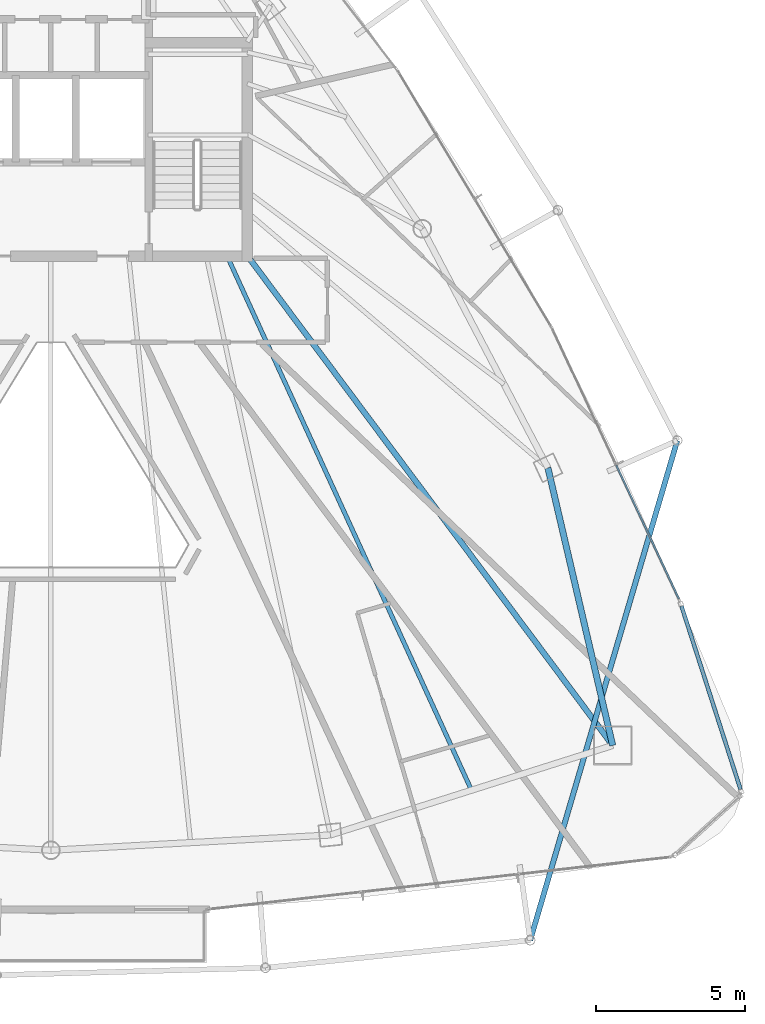
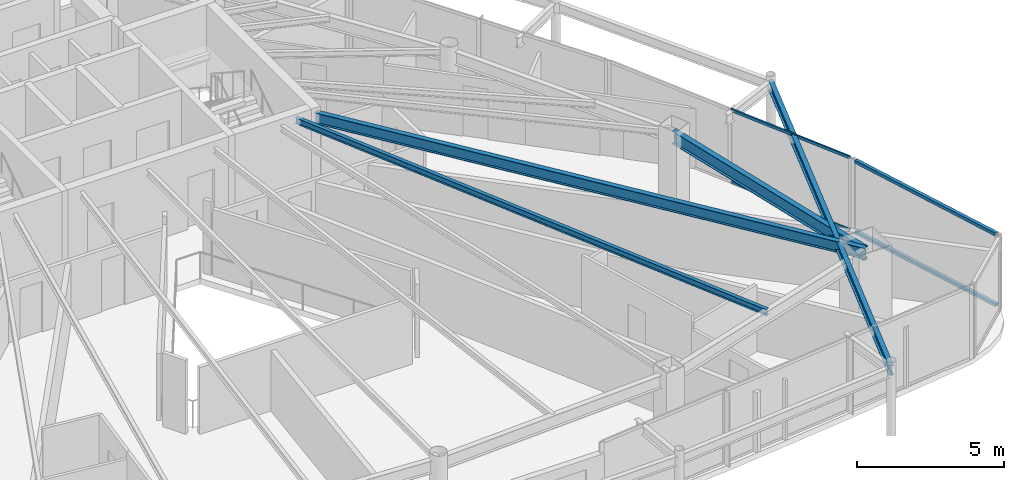
# One storey, part 16 of 32: 4 beams, 4 members, 2 elements without a shape of their own.
"""IFC4 building model written with IfcOpenShell, lengths in metres."""

from ifc_helpers import new_model, si_unit, direction, frame, origin, origin_2d, place, context, subcontext, project, spatial, hollow_rectangle, i_section, extrude, material, layer, layer_set, material_profile, profile_set, type_object, element, aggregate, save


model = new_model("IFC4")

# Units and contexts
model_context = context("Model", 3, precision=1e-05, world=origin(), true_north=direction((0.0, 1.0)))
body_context = subcontext(model_context, "Body", "Model", "MODEL_VIEW")
ifc_project = project(units=[si_unit("LENGTHUNIT", "METRE"), si_unit("AREAUNIT", "SQUARE_METRE"), si_unit("VOLUMEUNIT", "CUBIC_METRE"), si_unit("PLANEANGLEUNIT", "RADIAN"), si_unit("MASSUNIT", "GRAM", prefix="KILO")], contexts=[model_context])

# Site, building, storey
site_placement = place(None, origin())
site = spatial("IfcSite", under=ifc_project, at=site_placement, CompositionType="ELEMENT")
building_placement = place(site_placement, origin())
building = spatial("IfcBuilding", under=site, at=building_placement, Name="Orvanel Arch Residences", CompositionType="ELEMENT")
storey_placement = place(building_placement, frame((0.0, 0.0, 216.199951171875)))
storey = spatial("IfcBuildingStorey", under=building, at=storey_placement, Name="L61", CompositionType="ELEMENT", Elevation=216.199951171875)

# Beams
ifc_material_1 = material(Name="Structural steel AS/NZS 3679.1 Grade 300 (300 MPa)", Category="steel")
ifc_material_profile_1 = material_profile(ifc_material_1, i_section(OverallWidth=0.19091796875, OverallDepth=0.4599609375, WebThickness=0.010009765625, FlangeThickness=0.01611328125, at=origin_2d()), Name="460UB82.1")
ifc_profile_set_1 = profile_set([ifc_material_profile_1], Name="Structural steel AS/NZS 3679.1 Grade 300 (300 MPa)")
beam_type_1 = type_object("IfcBeamType", Name="BG-460UB", PredefinedType="BEAM", material=ifc_profile_set_1)
beam_1_placement = place(storey_placement, frame((39.625, 26.675048828125, 2.830078125), z_axis=(0.597893733742, -0.801575375839, 0.0), x_axis=(0.801575375839, 0.597893733742, 0.0)))
element("IfcBeam", 1, at=beam_1_placement, inside=storey, type_object=beam_type_1, Name="L61 South-East Radial Girder", PredefinedType="BEAM", context=body_context, shape_type="SweptSolid", body=[
    extrude(i_section(OverallWidth=0.19091796875, OverallDepth=0.4599609375, WebThickness=0.010009765625, FlangeThickness=0.01611328125, at=origin_2d()), origin(), (0.0, 0.0, 1.0), 20.36474609375),
])
ifc_material_profile_2 = material_profile(ifc_material_1, i_section(OverallWidth=0.14599609375, OverallDepth=0.251953125, WebThickness=0.006103515625, FlangeThickness=0.008544921875, at=origin_2d()), Name="250UB31.4")
ifc_profile_set_2 = profile_set([ifc_material_profile_2], Name="Structural steel AS/NZS 3679.1 Grade 300 (300 MPa)")
beam_type_2 = type_object("IfcBeamType", Name="BJ-250UB", PredefinedType="JOIST", material=ifc_profile_set_2)
beam_2_placement = place(storey_placement, frame((38.89990234375, 26.72509765625, 2.93408203125), z_axis=(0.416009574066, -0.909360233508, 0.0), x_axis=(0.909360233508, 0.416009574066, 0.0)))
element("IfcBeam", 2, at=beam_2_placement, inside=storey, type_object=beam_type_2, Name="L61 JADD2 Wing Floor Joist", PredefinedType="JOIST", context=body_context, shape_type="SweptSolid", body=[
    extrude(i_section(OverallWidth=0.14599609375, OverallDepth=0.251953125, WebThickness=0.006103515625, FlangeThickness=0.008544921875, at=origin_2d()), origin(), (0.0, 0.0, 1.0), 19.653564453125),
])
ifc_material_profile_3 = material_profile(ifc_material_1, i_section(OverallWidth=0.177978515625, OverallDepth=0.406005859375, WebThickness=0.0078125, FlangeThickness=0.0126953125, at=origin_2d()), Name="410UB59.7")
ifc_profile_set_3 = profile_set([ifc_material_profile_3], Name="Structural steel AS/NZS 3679.1 Grade 300 (300 MPa)")
beam_type_3 = type_object("IfcBeamType", Name="OB-410UB-EXT", PredefinedType="SPANDREL", material=ifc_profile_set_3)
beam_3_placement = place(storey_placement, frame((49.0400390625, 3.83203125, 2.85693359375), z_axis=(0.282380884619, 0.959302369434, 0.0), x_axis=(-0.959302369434, 0.282380884619, 0.0)))
element("IfcBeam", 3, at=beam_3_placement, inside=storey, type_object=beam_type_3, Name="L61 Outer Perimeter Floor Ring Beam 08", PredefinedType="SPANDREL", context=body_context, shape_type="SweptSolid", body=[
    extrude(i_section(OverallWidth=0.177978515625, OverallDepth=0.406005859375, WebThickness=0.0078125, FlangeThickness=0.0126953125, at=origin_2d()), origin(), (0.0, 0.0, 1.0), 17.433349609375),
])
ifc_material_profile_4 = material_profile(ifc_material_1, i_section(OverallWidth=0.208984375, OverallDepth=0.532958984375, WebThickness=0.01025390625, FlangeThickness=0.015625, at=origin_2d()), Name="530UB92.4")
ifc_profile_set_4 = profile_set([ifc_material_profile_4], Name="Structural steel AS/NZS 3679.1 Grade 300 (300 MPa)")
beam_type_4 = type_object("IfcBeamType", Name="SP-530UB", PredefinedType="SPANDREL", material=ifc_profile_set_4)
beam_4_placement = place(storey_placement, frame((51.801025390625, 10.35107421875, 2.79296875), z_axis=(-0.227236087167, 0.973839699688, 0.0), x_axis=(-0.973839699688, -0.227236087167, 0.0)))
element("IfcBeam", 4, at=beam_4_placement, inside=storey, type_object=beam_type_4, Name="L61 Perimeter Spandrel Beam 06", PredefinedType="SPANDREL", context=body_context, shape_type="SweptSolid", body=[
    extrude(i_section(OverallWidth=0.208984375, OverallDepth=0.532958984375, WebThickness=0.01025390625, FlangeThickness=0.015625, at=origin_2d()), origin(), (0.0, 0.0, 1.0), 9.54052734375),
])

# Curtain wall, members
ifc_material_2 = material(Name="Bronze-anodised aluminium AA6063-T6", Category="aluminium")
ifc_layer_1 = layer(ifc_material_2, 0.175048828125)
ifc_layer_set_1 = layer_set([ifc_layer_1], Name="Bronze-anodised aluminium AA6063-T6")
curtain_wall_type_1 = type_object("IfcCurtainWallType", Name="CW4-HI-SYS", PredefinedType="NOTDEFINED", material=ifc_layer_set_1)
curtain_wall_1_placement = place(storey_placement, origin())
curtain_wall_1 = element("IfcCurtainWall", 5, at=curtain_wall_1_placement, inside=storey, type_object=curtain_wall_type_1, Name="L61 CW4-HI-SYS Unitised Curtain Wall", PredefinedType="NOTDEFINED")
ifc_material_profile_5 = material_profile(ifc_material_2, hollow_rectangle(XDim=0.06005859375, YDim=0.1201171875, WallThickness=0.00341796875, at=origin_2d()), Name="ALU120x60x3.5")
ifc_profile_set_5 = profile_set([ifc_material_profile_5], Name="Bronze-anodised aluminium AA6063-T6")
member_type_1 = type_object("IfcMemberType", Name="TRN-120x60", PredefinedType="USERDEFINED", material=ifc_profile_set_5)
member_1_placement = place(storey_placement, frame((54.016357421875, 15.2548828125, 0.030029296875), z_axis=(-0.424084210865, 0.905622759263, 0.0), x_axis=(-0.905622759263, -0.424084210865, 0.0)))
member_1 = element("IfcMember", 6, at=member_1_placement, type_object=member_type_1, Name="CW-S4 transom 1.1", ObjectType="TRANSOM", PredefinedType="USERDEFINED", context=body_context, shape_type="SweptSolid", body=[
    extrude(hollow_rectangle(XDim=0.06005859375, YDim=0.1201171875, WallThickness=0.00341796875, at=origin_2d()), origin(), (0.0, 0.0, 1.0), 4.937744140625),
])
member_2_placement = place(storey_placement, frame((54.016357421875, 15.2548828125, 3.030029296875), z_axis=(-0.424084210865, 0.905622759263, 0.0), x_axis=(-0.905622759263, -0.424084210865, 0.0)))
member_2 = element("IfcMember", 7, at=member_2_placement, type_object=member_type_1, Name="CW-S4 transom 1.2", ObjectType="TRANSOM", PredefinedType="USERDEFINED", context=body_context, shape_type="SweptSolid", body=[
    extrude(hollow_rectangle(XDim=0.06005859375, YDim=0.1201171875, WallThickness=0.00341796875, at=origin_2d()), origin(), (0.0, 0.0, 1.0), 4.937744140625),
])
aggregate(curtain_wall_1, [member_1, member_2])

ifc_layer_2 = layer(ifc_material_2, 0.18994140625)
ifc_layer_set_2 = layer_set([ifc_layer_2], Name="Bronze-anodised aluminium AA6063-T6")
curtain_wall_type_2 = type_object("IfcCurtainWallType", Name="CW5-CRN-SYS", PredefinedType="NOTDEFINED", material=ifc_layer_set_2)
curtain_wall_2_placement = place(storey_placement, origin())
curtain_wall_2 = element("IfcCurtainWall", 8, at=curtain_wall_2_placement, inside=storey, type_object=curtain_wall_type_2, Name="L61 CW5-CRN-SYS Unitised Curtain Wall", PredefinedType="NOTDEFINED")
ifc_material_profile_6 = material_profile(ifc_material_2, hollow_rectangle(XDim=0.1298828125, YDim=0.1298828125, WallThickness=0.00439453125, at=origin_2d()), Name="ALU130x130x4.5")
ifc_profile_set_6 = profile_set([ifc_material_profile_6], Name="Bronze-anodised aluminium AA6063-T6")
member_type_2 = type_object("IfcMemberType", Name="TRN-130x130", PredefinedType="USERDEFINED", material=ifc_profile_set_6)
member_3_placement = place(storey_placement, frame((56.080078125, 8.8818359375, 0.06494140625), z_axis=(-0.306619789798, 0.951832077892, 0.0), x_axis=(-0.951832077892, -0.306619789798, 0.0)))
member_3 = element("IfcMember", 9, at=member_3_placement, type_object=member_type_2, Name="CW-S5 transom 1.1", ObjectType="TRANSOM", PredefinedType="USERDEFINED", context=body_context, shape_type="SweptSolid", body=[
    extrude(hollow_rectangle(XDim=0.1298828125, YDim=0.1298828125, WallThickness=0.00439453125, at=origin_2d()), origin(), (0.0, 0.0, 1.0), 6.44482421875),
])
member_4_placement = place(storey_placement, frame((56.080078125, 8.8818359375, 2.9951171875), z_axis=(-0.306619789798, 0.951832077892, 0.0), x_axis=(-0.951832077892, -0.306619789798, 0.0)))
member_4 = element("IfcMember", 10, at=member_4_placement, type_object=member_type_2, Name="CW-S5 transom 1.2", ObjectType="TRANSOM", PredefinedType="USERDEFINED", context=body_context, shape_type="SweptSolid", body=[
    extrude(hollow_rectangle(XDim=0.1298828125, YDim=0.1298828125, WallThickness=0.00439453125, at=origin_2d()), origin(), (0.0, 0.0, 1.0), 6.44482421875),
])
aggregate(curtain_wall_2, [member_3, member_4])

save(model, "model.ifc")
